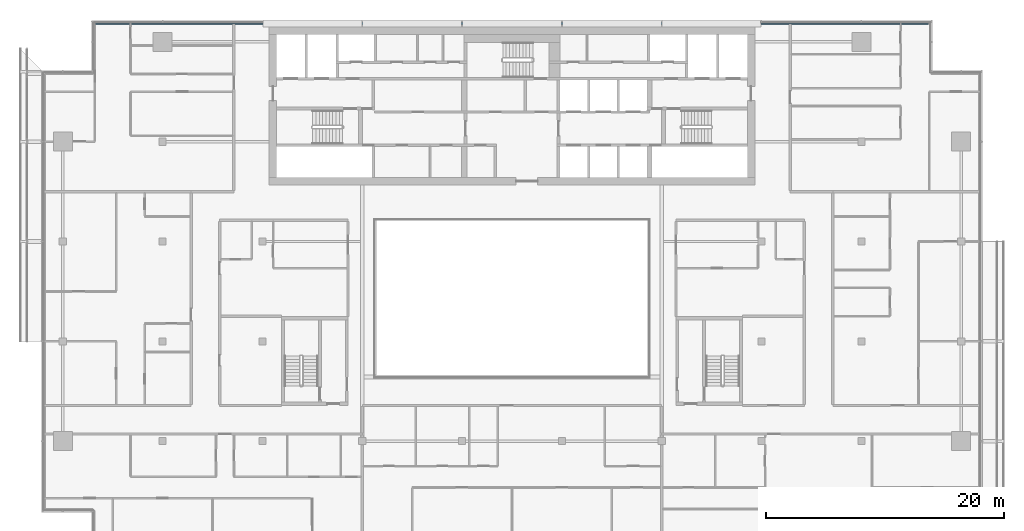
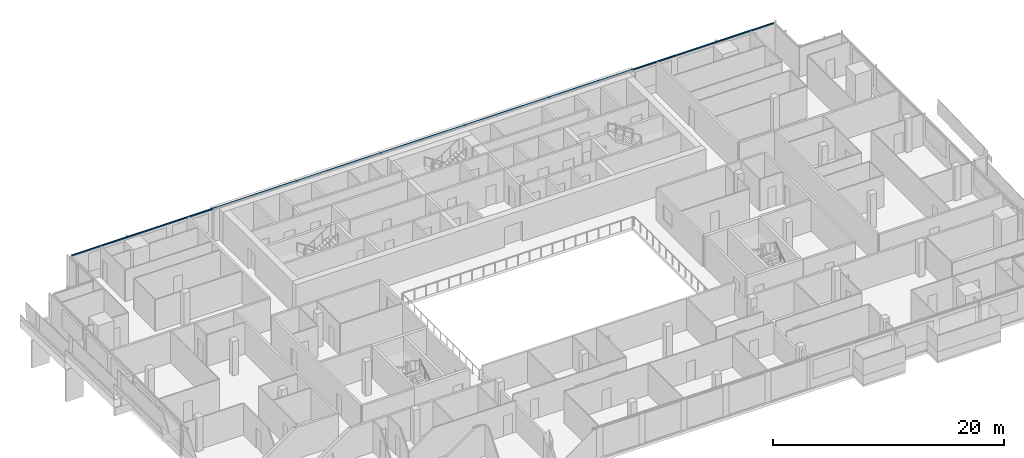
# One storey, part 9 of 29: 1 member, 1 element without a shape of its own.
"""IFC4 building model written with IfcOpenShell, lengths in metres."""

from ifc_helpers import new_model, si_unit, direction, frame, origin, origin_2d, place, context, subcontext, project, spatial, rectangle, extrude, material, material_profile, profile_set, type_object, element, aggregate, save


model = new_model("IFC4")

# Units and contexts
model_context = context("Model", 3, precision=1e-05, world=origin(), true_north=direction((0.0, 1.0)))
body_context = subcontext(model_context, "Body", "Model", "MODEL_VIEW")
ifc_project = project(units=[si_unit("LENGTHUNIT", "METRE"), si_unit("AREAUNIT", "SQUARE_METRE"), si_unit("VOLUMEUNIT", "CUBIC_METRE"), si_unit("PLANEANGLEUNIT", "RADIAN"), si_unit("MASSUNIT", "GRAM", prefix="KILO")], contexts=[model_context])

# Site, building, storey
site_placement = place(None, origin())
site = spatial("IfcSite", under=ifc_project, at=site_placement, CompositionType="ELEMENT")
building_placement = place(site_placement, origin())
building = spatial("IfcBuilding", under=site, at=building_placement, Name="Saffron Gate Tower", CompositionType="ELEMENT")
storey_placement = place(building_placement, frame((0.0, 0.0, 219.89990234375)))
storey = spatial("IfcBuildingStorey", under=building, at=storey_placement, Name="L53", CompositionType="ELEMENT", Elevation=219.89990234375)

# Curtain wall, member
ifc_material = material(Name="Aluminium, bronze anodised", Category="aluminium")
curtain_wall_type = type_object("IfcCurtainWallType", Name="CWS3 curtain wall rear facade", PredefinedType="NOTDEFINED", material=ifc_material)
curtain_wall_placement = place(storey_placement, origin())
curtain_wall = element("IfcCurtainWall", 1, at=curtain_wall_placement, inside=storey, type_object=curtain_wall_type, Name="CWS3 run 7", PredefinedType="NOTDEFINED")
ifc_material_profile = material_profile(ifc_material, rectangle(XDim=0.1201171875, YDim=0.1201171875, at=origin_2d()))
ifc_profile_set = profile_set([ifc_material_profile], Name="Aluminium, bronze anodised")
member_type = type_object("IfcMemberType", Name="CWS3 head transom", PredefinedType="USERDEFINED", material=ifc_profile_set)
member_placement = place(storey_placement, frame((122.632080078125, 75.35205078125, 3.260009765625), z_axis=(-1.0, 0.0, 0.0), x_axis=(0.0, -1.0, 0.0)))
member = element("IfcMember", 2, at=member_placement, type_object=member_type, Name="CWS3 head transom", ObjectType="TRANSOM", PredefinedType="USERDEFINED", context=body_context, shape_type="SweptSolid", body=[
    extrude(rectangle(XDim=0.1201171875, YDim=0.1201171875, at=origin_2d()), origin(), (0.0, 0.0, 1.0), 70.06396484375),
])
aggregate(curtain_wall, [member])

save(model, "model.ifc")
